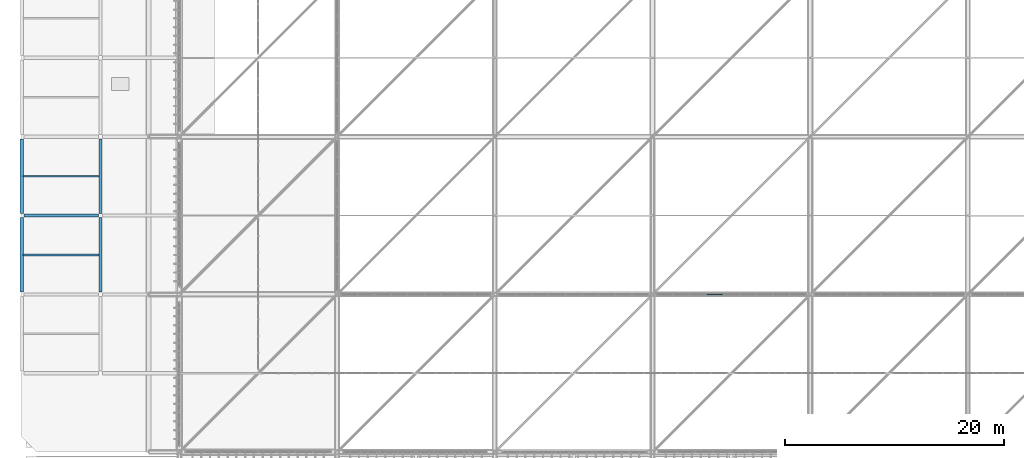
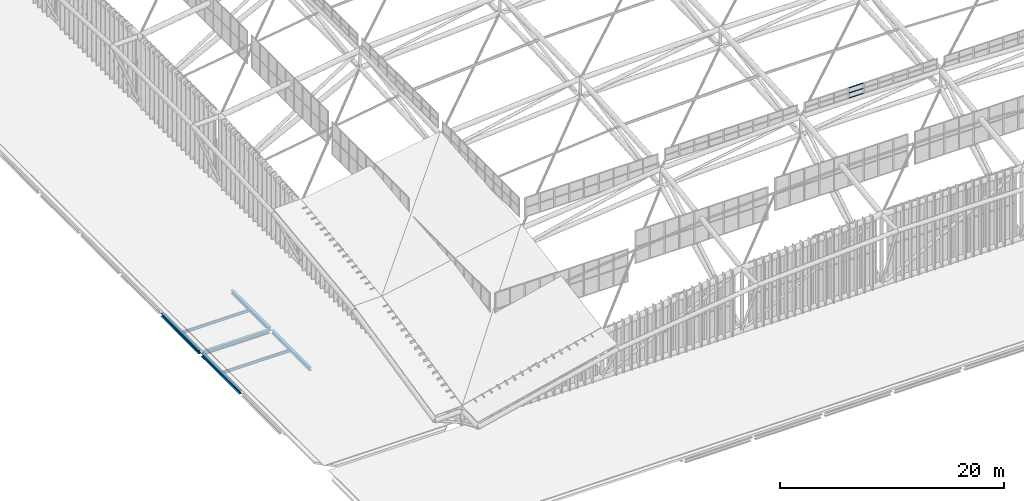
# One storey, part 46 of 397: 7 beams, 3 members, 1 element without a shape of its own.
"""IFC4 building model written with IfcOpenShell, lengths in metres."""

from ifc_helpers import new_model, si_unit, direction, frame, origin, origin_2d, place, context, subcontext, project, spatial, hollow_rectangle, i_section, extrude, material, material_profile, profile_set, type_object, element, aggregate, save


model = new_model("IFC4")

# Units and contexts
model_context = context("Model", 3, precision=1e-05, world=origin(), true_north=direction((0.0, 1.0)))
body_context = subcontext(model_context, "Body", "Model", "MODEL_VIEW")
ifc_project = project(units=[si_unit("LENGTHUNIT", "METRE"), si_unit("AREAUNIT", "SQUARE_METRE"), si_unit("VOLUMEUNIT", "CUBIC_METRE"), si_unit("PLANEANGLEUNIT", "RADIAN"), si_unit("MASSUNIT", "GRAM", prefix="KILO")], contexts=[model_context])

# Site, building, storey
site_placement = place(None, origin())
site = spatial("IfcSite", under=ifc_project, at=site_placement, CompositionType="ELEMENT")
building_placement = place(site_placement, origin())
building = spatial("IfcBuilding", under=site, at=building_placement, Name="Qandorah Velis Arena", CompositionType="ELEMENT")
storey_placement = place(building_placement, frame((0.0, 0.0, 27.5)))
storey = spatial("IfcBuildingStorey", under=building, at=storey_placement, Name="RF", CompositionType="ELEMENT", Elevation=27.5)

# Curtain wall, members
ifc_material_1 = material(Name="Solar-control low-E double glazing", Category="glass")
curtain_wall_type = type_object("IfcCurtainWallType", Name="ARC-CW-SYS18", PredefinedType="USERDEFINED", material=ifc_material_1)
curtain_wall_placement = place(storey_placement, origin())
curtain_wall = element("IfcCurtainWall", 1, at=curtain_wall_placement, inside=storey, type_object=curtain_wall_type, Name="Unitised curtain wall OCULUS-3-3", ObjectType="UNITISED CURTAIN WALL", PredefinedType="USERDEFINED")
ifc_material_2 = material(Name="Champagne-bronze anodized aluminium 6063-T6", Category="aluminium")
ifc_material_profile_1 = material_profile(ifc_material_2, hollow_rectangle(XDim=0.054931640625, YDim=0.10009765625, WallThickness=0.0029296875, at=origin_2d()), Name="ALU TRANSOM 55x100")
ifc_profile_set_1 = profile_set([ifc_material_profile_1], Name="Champagne-bronze anodized aluminium 6063-T6")
member_type = type_object("IfcMemberType", Name="ARC-CWT-100", PredefinedType="USERDEFINED", material=ifc_profile_set_1)
member_1_placement = place(storey_placement, frame((62.5322265625, 28.800048828125, 9.85888671875), z_axis=(1.0, 0.0, 0.0), x_axis=(0.0, 1.0, 0.0)))
member_1 = element("IfcMember", 2, at=member_1_placement, type_object=member_type, Name="CW18 transom 4.1", ObjectType="TRANSOM", PredefinedType="USERDEFINED", context=body_context, shape_type="SweptSolid", body=[
    extrude(hollow_rectangle(XDim=0.054931640625, YDim=0.10009765625, WallThickness=0.0029296875, at=origin_2d()), origin(), (0.0, 0.0, 1.0), 1.4912109375),
])
member_2_placement = place(storey_placement, frame((62.5322265625, 28.800048828125, 10.415771484375), z_axis=(1.0, 0.0, 0.0), x_axis=(0.0, 1.0, 0.0)))
member_2 = element("IfcMember", 3, at=member_2_placement, type_object=member_type, Name="CW18 transom 4.2", ObjectType="TRANSOM", PredefinedType="USERDEFINED", context=body_context, shape_type="SweptSolid", body=[
    extrude(hollow_rectangle(XDim=0.054931640625, YDim=0.10009765625, WallThickness=0.0029296875, at=origin_2d()), origin(), (0.0, 0.0, 1.0), 1.4912109375),
])
member_3_placement = place(storey_placement, frame((62.5322265625, 28.800048828125, 10.972412109375), z_axis=(1.0, 0.0, 0.0), x_axis=(0.0, 1.0, 0.0)))
member_3 = element("IfcMember", 4, at=member_3_placement, type_object=member_type, Name="CW18 transom 4.3", ObjectType="TRANSOM", PredefinedType="USERDEFINED", context=body_context, shape_type="SweptSolid", body=[
    extrude(hollow_rectangle(XDim=0.054931640625, YDim=0.10009765625, WallThickness=0.0029296875, at=origin_2d()), origin(), (0.0, 0.0, 1.0), 1.4912109375),
])
aggregate(curtain_wall, [member_1, member_2, member_3])

# Beams
ifc_material_3 = material(Name="Steel S355", Category="steel")
ifc_material_profile_2 = material_profile(ifc_material_3, i_section(OverallWidth=0.300048828125, OverallDepth=0.360107421875, WebThickness=0.012451171875, FlangeThickness=0.0224609375, FilletRadius=0.027099609375, at=origin_2d()), Name="HEB 360")
ifc_profile_set_2 = profile_set([ifc_material_profile_2], Name="Steel S355")
beam_type_1 = type_object("IfcBeamType", Name="STR-BM-HEB360", PredefinedType="BEAM", material=ifc_profile_set_2)
for number, where, z_axis, x_axis, name in (
    (5, (0.0, 29.0, -0.39990234375), (0.0, 1.0, 0.0), (-1.0, 0.0, 0.0), "Primary floor girder RF Y-064"),
    (6, (0.0, 36.199951171875, -0.39990234375), (0.0, 1.0, 0.0), (-1.0, 0.0, 0.0), "Primary floor girder RF Y-065"),
    (7, (7.199951171875, 29.0, -0.39990234375), (0.0, 1.0, 0.0), (-1.0, 0.0, 0.0), "Primary floor girder RF Y-076"),
    (8, (7.199951171875, 36.199951171875, -0.39990234375), (0.0, 1.0, 0.0), (-1.0, 0.0, 0.0), "Primary floor girder RF Y-077"),
):
    element("IfcBeam", number, at=place(storey_placement, frame(where, z_axis=z_axis, x_axis=x_axis)), inside=storey, type_object=beam_type_1, Name=name, PredefinedType="BEAM", context=body_context, shape_type="SweptSolid", body=[
        extrude(i_section(OverallWidth=0.300048828125, OverallDepth=0.360107421875, WebThickness=0.012451171875, FlangeThickness=0.0224609375, FilletRadius=0.027099609375, at=origin_2d()), origin(), (0.0, 0.0, 1.0), 6.800048828125),
    ])
ifc_material_profile_3 = material_profile(ifc_material_3, i_section(OverallWidth=0.300048828125, OverallDepth=0.39990234375, WebThickness=0.013427734375, FlangeThickness=0.02392578125, FilletRadius=0.027099609375, at=origin_2d()), Name="HEB 400")
ifc_profile_set_3 = profile_set([ifc_material_profile_3], Name="Steel S355")
beam_type_2 = type_object("IfcBeamType", Name="STR-BM-HEB400", PredefinedType="BEAM", material=ifc_profile_set_3)
beam_placement = place(storey_placement, frame((0.199951171875, 36.0, -0.419921875), z_axis=(1.0, 0.0, 0.0), x_axis=(0.0, 1.0, 0.0)))
element("IfcBeam", 9, at=beam_placement, inside=storey, type_object=beam_type_2, Name="Primary floor girder RF X-023", PredefinedType="BEAM", context=body_context, shape_type="SweptSolid", body=[
    extrude(i_section(OverallWidth=0.300048828125, OverallDepth=0.39990234375, WebThickness=0.013427734375, FlangeThickness=0.02392578125, FilletRadius=0.027099609375, at=origin_2d()), origin(), (0.0, 0.0, 1.0), 6.800048828125),
])
ifc_material_profile_4 = material_profile(ifc_material_3, i_section(OverallWidth=0.14990234375, OverallDepth=0.300048828125, WebThickness=0.007080078125, FlangeThickness=0.0107421875, FilletRadius=0.014892578125, at=origin_2d()), Name="IPE 300")
ifc_profile_set_4 = profile_set([ifc_material_profile_4], Name="Steel S355")
beam_type_3 = type_object("IfcBeamType", Name="STR-JST-IPE300", PredefinedType="JOIST", material=ifc_profile_set_4)
for number, where, z_axis, x_axis, name in (
    (10, (0.135009765625, 32.39990234375, -0.3701171875), (1.0, 0.0, 0.0), (0.0, 1.0, 0.0), "Secondary floor joist RF-002"),
    (11, (0.135009765625, 39.60009765625, -0.3701171875), (1.0, 0.0, 0.0), (0.0, 1.0, 0.0), "Secondary floor joist RF-003"),
):
    element("IfcBeam", number, at=place(storey_placement, frame(where, z_axis=z_axis, x_axis=x_axis)), inside=storey, type_object=beam_type_3, Name=name, PredefinedType="JOIST", context=body_context, shape_type="SweptSolid", body=[
        extrude(i_section(OverallWidth=0.14990234375, OverallDepth=0.300048828125, WebThickness=0.007080078125, FlangeThickness=0.0107421875, FilletRadius=0.014892578125, at=origin_2d()), origin(), (0.0, 0.0, 1.0), 6.929931640625),
    ])

save(model, "model.ifc")
